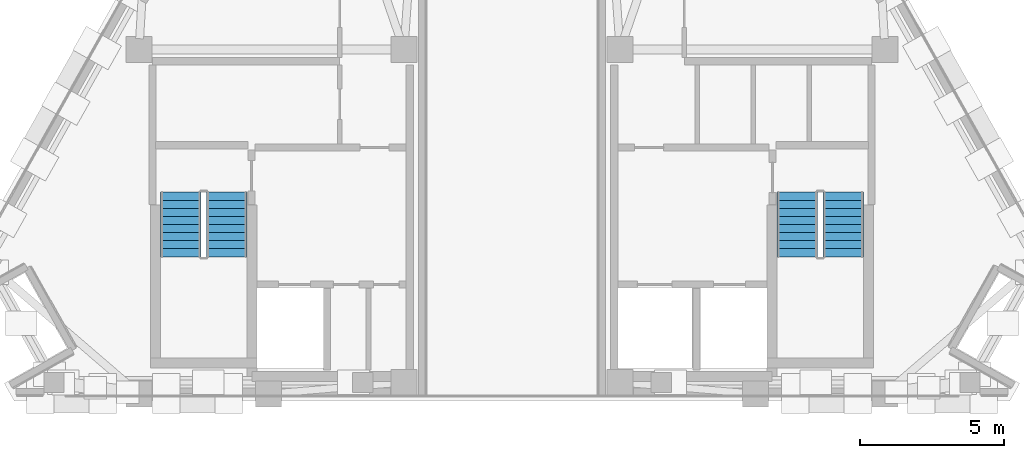
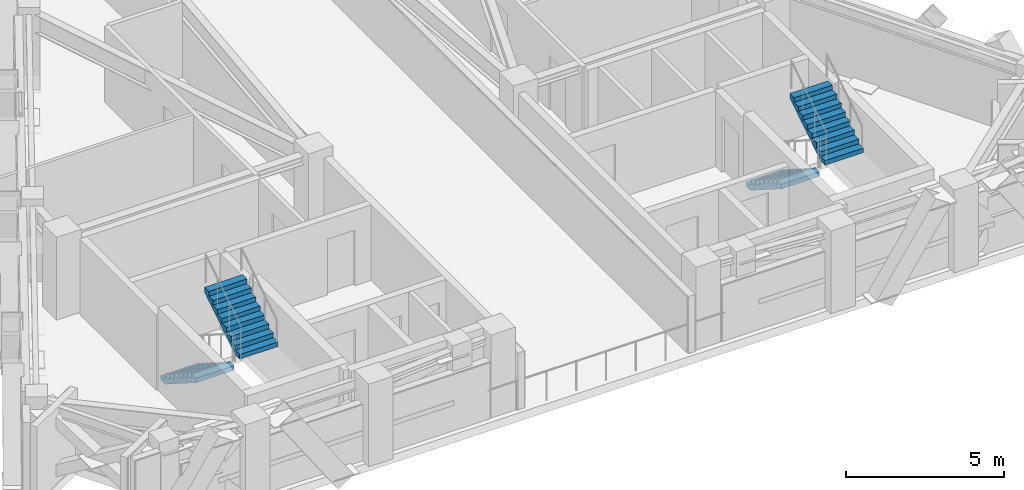
# One storey, part 5 of 7: 4 stair flights, 2 elements without a shape of their own.
"""IFC4 building model written with IfcOpenShell, lengths in metres."""

from ifc_helpers import new_model, si_unit, direction, frame, origin, place, context, subcontext, project, spatial, polyline, outline, extrude, material, layer, layer_set, type_object, element, aggregate, save


model = new_model("IFC4")

# Units and contexts
model_context = context("Model", 3, precision=1e-05, world=origin(), true_north=direction((0.0, 1.0)))
body_context = subcontext(model_context, "Body", "Model", "MODEL_VIEW")
ifc_project = project(units=[si_unit("LENGTHUNIT", "METRE"), si_unit("AREAUNIT", "SQUARE_METRE"), si_unit("VOLUMEUNIT", "CUBIC_METRE"), si_unit("PLANEANGLEUNIT", "RADIAN"), si_unit("MASSUNIT", "GRAM", prefix="KILO")], contexts=[model_context])

# Site, building, storey
site_placement = place(None, origin())
site = spatial("IfcSite", under=ifc_project, at=site_placement, CompositionType="ELEMENT")
building_placement = place(site_placement, origin())
building = spatial("IfcBuilding", under=site, at=building_placement, Name="Quenlor Broadcast Tower", CompositionType="ELEMENT")
storey_placement = place(building_placement, frame((0.0, 0.0, 270.89990234375)))
storey = spatial("IfcBuildingStorey", under=building, at=storey_placement, Name="L75", CompositionType="ELEMENT", Elevation=270.89990234375)

# Stair, stair flights
ifc_material_1 = material(Name="Precast concrete C40/50", Category="concrete")
stair_type = type_object("IfcStairType", Name="Precast Concrete C40/50 Dogleg Stair H320", PredefinedType="HALF_TURN_STAIR", material=ifc_material_1)
stair_1_placement = place(storey_placement, origin())
stair_1 = element("IfcStair", 1, at=stair_1_placement, inside=storey, type_object=stair_type, Name="L75 West Core Fire-Isolated Exit Stair ST-1", PredefinedType="HALF_TURN_STAIR")
ifc_material_2 = material(Name="Precast concrete C40/50", Category="concrete")
ifc_layer = layer(ifc_material_2, 0.14990234375)
ifc_layer_set = layer_set([ifc_layer], Name="Precast Concrete C40/50 Stair Flight H320")
stair_flight_type = type_object("IfcStairFlightType", Name="Precast Concrete C40/50 Stair Flight H320", PredefinedType="STRAIGHT", material=ifc_layer_set)
stair_flight_1_placement = place(storey_placement, frame((-11.5, -9.75, 0.0), z_axis=(0.0, 0.0, 1.0), x_axis=(0.0, -1.0, 0.0)))
stair_flight_1 = element("IfcStairFlight", 2, at=stair_flight_1_placement, type_object=stair_flight_type, Name="ST-1 flight 1", NumberOfRisers=9, NumberOfTreads=8, PredefinedType="STRAIGHT", RiserHeight=0.177777778, TreadLength=0.28, context=body_context, shape_type="SweptSolid", body=[
    extrude(outline(polyline([(0.0, 0.0), (0.0, 0.177734375), (0.280029296875, 0.177734375), (0.280029296875, 0.35546875), (0.56005859375, 0.35546875), (0.56005859375, 0.533447265625), (0.840087890625, 0.533447265625), (0.840087890625, 0.711181640625), (1.1201171875, 0.711181640625), (1.1201171875, 0.888916015625), (1.39990234375, 0.888916015625), (1.39990234375, 1.066650390625), (1.679931640625, 1.066650390625), (1.679931640625, 1.244384765625), (1.9599609375, 1.244384765625), (1.9599609375, 1.422119140625), (2.239990234375, 1.422119140625), (2.239990234375, 1.60009765625), (2.239990234375, 1.24462890625), (0.27978515625, 0.0), (0.0, 0.0)])), frame((0.0, 0.699951171875, 0.0), z_axis=(0.0, -1.0, 0.0), x_axis=(1.0, 0.0, 0.0)), (0.0, 0.0, 1.0), 1.39990234375),
])
stair_flight_2_placement = place(storey_placement, frame((-9.89990234375, -11.989990234375, 1.60009765625), z_axis=(0.0, 0.0, 1.0), x_axis=(0.0, 1.0, 0.0)))
stair_flight_2 = element("IfcStairFlight", 3, at=stair_flight_2_placement, type_object=stair_flight_type, Name="ST-1 flight 2", NumberOfRisers=9, NumberOfTreads=8, PredefinedType="STRAIGHT", RiserHeight=0.177777778, TreadLength=0.28, context=body_context, shape_type="SweptSolid", body=[
    extrude(outline(polyline([(0.0, 0.0), (0.0, 0.177734375), (0.280029296875, 0.177734375), (0.280029296875, 0.35546875), (0.56005859375, 0.35546875), (0.56005859375, 0.533447265625), (0.840087890625, 0.533447265625), (0.840087890625, 0.711181640625), (1.1201171875, 0.711181640625), (1.1201171875, 0.888916015625), (1.39990234375, 0.888916015625), (1.39990234375, 1.066650390625), (1.679931640625, 1.066650390625), (1.679931640625, 1.244384765625), (1.9599609375, 1.244384765625), (1.9599609375, 1.422119140625), (2.239990234375, 1.422119140625), (2.239990234375, 1.60009765625), (2.239990234375, 1.24462890625), (0.27978515625, 0.0), (0.0, 0.0)])), frame((0.0, 0.699951171875, 0.0), z_axis=(0.0, -1.0, 0.0), x_axis=(1.0, 0.0, 0.0)), (0.0, 0.0, 1.0), 1.39990234375),
])
aggregate(stair_1, [stair_flight_1, stair_flight_2])

stair_2_placement = place(storey_placement, origin())
stair_2 = element("IfcStair", 4, at=stair_2_placement, inside=storey, type_object=stair_type, Name="L75 East Core Fire-Isolated Exit Stair ST-2", PredefinedType="HALF_TURN_STAIR")
stair_flight_3_placement = place(storey_placement, frame((9.89990234375, -9.75, 0.0), z_axis=(0.0, 0.0, 1.0), x_axis=(0.0, -1.0, 0.0)))
stair_flight_3 = element("IfcStairFlight", 5, at=stair_flight_3_placement, type_object=stair_flight_type, Name="ST-2 flight 1", NumberOfRisers=9, NumberOfTreads=8, PredefinedType="STRAIGHT", RiserHeight=0.177777778, TreadLength=0.28, context=body_context, shape_type="SweptSolid", body=[
    extrude(outline(polyline([(0.0, 0.0), (0.0, 0.177734375), (0.280029296875, 0.177734375), (0.280029296875, 0.35546875), (0.56005859375, 0.35546875), (0.56005859375, 0.533447265625), (0.840087890625, 0.533447265625), (0.840087890625, 0.711181640625), (1.1201171875, 0.711181640625), (1.1201171875, 0.888916015625), (1.39990234375, 0.888916015625), (1.39990234375, 1.066650390625), (1.679931640625, 1.066650390625), (1.679931640625, 1.244384765625), (1.9599609375, 1.244384765625), (1.9599609375, 1.422119140625), (2.239990234375, 1.422119140625), (2.239990234375, 1.60009765625), (2.239990234375, 1.24462890625), (0.27978515625, 0.0), (0.0, 0.0)])), frame((0.0, 0.699951171875, 0.0), z_axis=(0.0, -1.0, 0.0), x_axis=(1.0, 0.0, 0.0)), (0.0, 0.0, 1.0), 1.39990234375),
])
stair_flight_4_placement = place(storey_placement, frame((11.5, -11.989990234375, 1.60009765625), z_axis=(0.0, 0.0, 1.0), x_axis=(0.0, 1.0, 0.0)))
stair_flight_4 = element("IfcStairFlight", 6, at=stair_flight_4_placement, type_object=stair_flight_type, Name="ST-2 flight 2", NumberOfRisers=9, NumberOfTreads=8, PredefinedType="STRAIGHT", RiserHeight=0.177777778, TreadLength=0.28, context=body_context, shape_type="SweptSolid", body=[
    extrude(outline(polyline([(0.0, 0.0), (0.0, 0.177734375), (0.280029296875, 0.177734375), (0.280029296875, 0.35546875), (0.56005859375, 0.35546875), (0.56005859375, 0.533447265625), (0.840087890625, 0.533447265625), (0.840087890625, 0.711181640625), (1.1201171875, 0.711181640625), (1.1201171875, 0.888916015625), (1.39990234375, 0.888916015625), (1.39990234375, 1.066650390625), (1.679931640625, 1.066650390625), (1.679931640625, 1.244384765625), (1.9599609375, 1.244384765625), (1.9599609375, 1.422119140625), (2.239990234375, 1.422119140625), (2.239990234375, 1.60009765625), (2.239990234375, 1.24462890625), (0.27978515625, 0.0), (0.0, 0.0)])), frame((0.0, 0.699951171875, 0.0), z_axis=(0.0, -1.0, 0.0), x_axis=(1.0, 0.0, 0.0)), (0.0, 0.0, 1.0), 1.39990234375),
])
aggregate(stair_2, [stair_flight_3, stair_flight_4])

save(model, "model.ifc")
